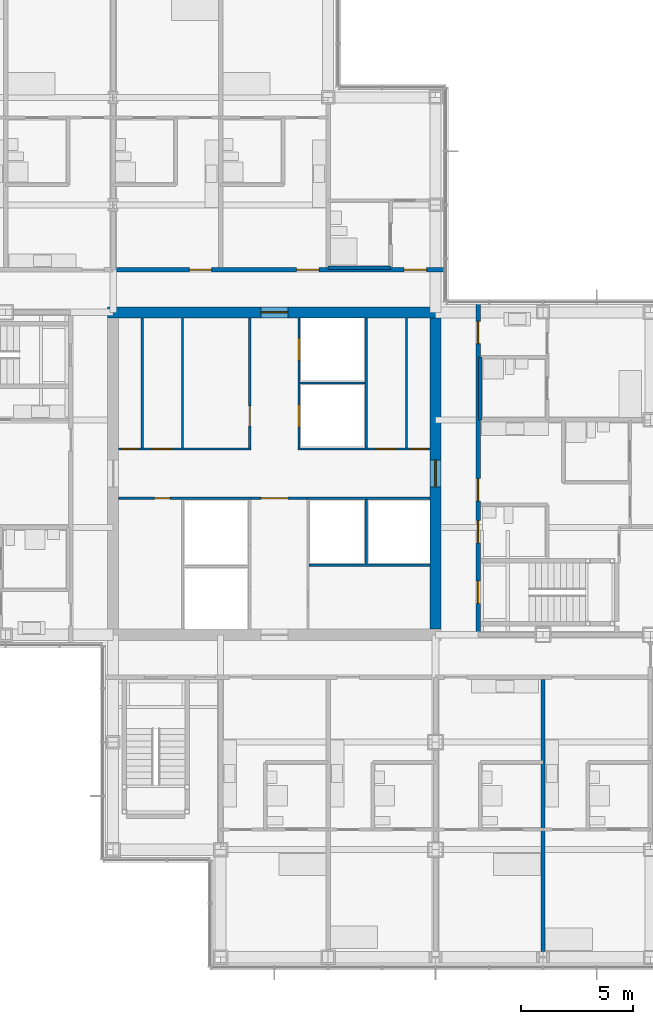
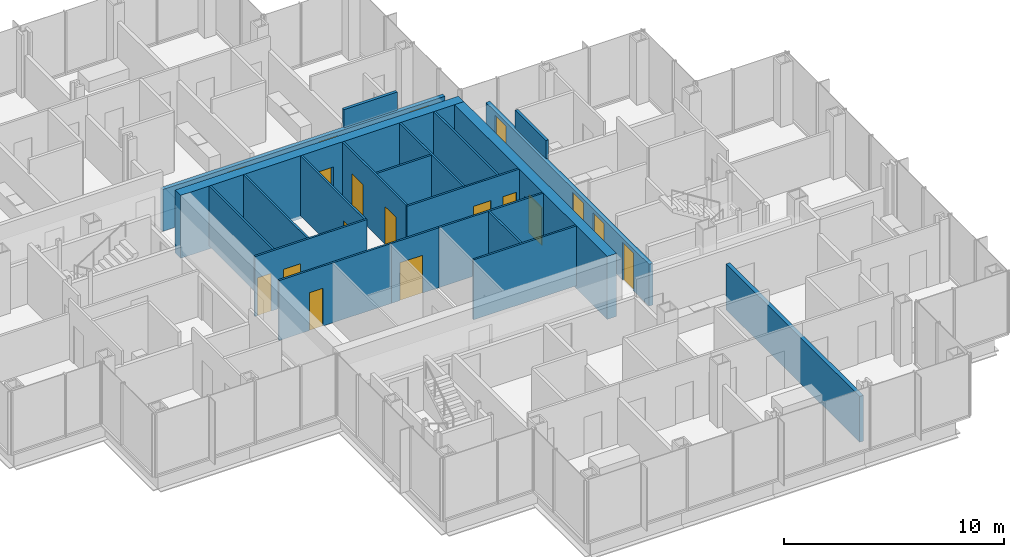
# One storey, part 15 of 20: 21 walls, 18 doors, 18 openings.
"""IFC4 building model written with IfcOpenShell, lengths in metres."""

from ifc_helpers import new_model, si_unit, direction, frame, frame_2d, origin, place, context, subcontext, project, spatial, rectangle, extrude, material, layer, layer_set, type_object, element, fill, save


model = new_model("IFC4")

# Units and contexts
model_context = context("Model", 3, precision=1e-05, world=origin(), true_north=direction((0.0, 1.0)))
body_context = subcontext(model_context, "Body", "Model", "MODEL_VIEW")
ifc_project = project(units=[si_unit("LENGTHUNIT", "METRE"), si_unit("AREAUNIT", "SQUARE_METRE"), si_unit("VOLUMEUNIT", "CUBIC_METRE"), si_unit("PLANEANGLEUNIT", "RADIAN"), si_unit("MASSUNIT", "GRAM", prefix="KILO")], contexts=[model_context])

# Site, building, storey
site_placement = place(None, origin())
site = spatial("IfcSite", under=ifc_project, at=site_placement, CompositionType="ELEMENT")
building_placement = place(site_placement, origin())
building = spatial("IfcBuilding", under=site, at=building_placement, Name="Kvirike Care Tower", CompositionType="ELEMENT")
storey_placement = place(building_placement, frame((0.0, 0.0, 91.0)))
storey = spatial("IfcBuildingStorey", under=building, at=storey_placement, Name="L24", CompositionType="ELEMENT", Elevation=91.0)

# Walls
ifc_material_1 = material(Name="Moisture-resistant board partition", Category="gypsum")
ifc_layer_1 = layer(ifc_material_1, 0.14990234375)
ifc_layer_set_1 = layer_set([ifc_layer_1], Name="BATHROOM WALL 150")
wall_type_1 = type_object("IfcWallType", Name="BATHROOM WALL 150", PredefinedType="PARTITIONING", material=ifc_layer_set_1)
for number, where, z_axis, x_axis, name in (
    (1, (26.800048828125, 45.199951171875, 0.0), (0.0, 0.0, 1.0), (-1.0, 0.0, 0.0), "Bathroom Wall 150 L24"),
    (2, (30.800048828125, 38.39990234375, 0.0), (0.0, 0.0, 1.0), (0.0, 1.0, 0.0), "Bathroom Wall 150 L24"),
):
    element("IfcWall", number, at=place(storey_placement, frame(where, z_axis=z_axis, x_axis=x_axis)), inside=storey, type_object=wall_type_1, Name=name, PredefinedType="PARTITIONING", context=body_context, shape_type="SweptSolid", body=[
        extrude(rectangle(XDim=2.800048828125, YDim=0.14990234375, at=frame_2d((1.39990234375, 0.0))), origin(), (0.0, 0.0, 1.0), 3.330078125),
    ])

# Wall, opening, door
ifc_material_2 = material(Name="Concrete C50/60", Category="concrete")
ifc_layer_2 = layer(ifc_material_2, 0.5)
ifc_layer_set_2 = layer_set([ifc_layer_2], Name="CORE WALL 500 C50-60")
wall_type_2 = type_object("IfcWallType", Name="CORE WALL 500 C50-60", PredefinedType="SHEAR", material=ifc_layer_set_2)
wall_1_placement = place(storey_placement, frame((29.050048828125, 43.199951171875, -0.169921875), z_axis=(0.0, 0.0, 1.0), x_axis=(-1.0, 0.0, 0.0)))
wall_1 = element("IfcWall", 3, at=wall_1_placement, inside=storey, type_object=wall_type_2, Name="Core wall N L24", PredefinedType="SHEAR", context=body_context, shape_type="SweptSolid", body=[
    extrude(rectangle(XDim=14.900146484375, YDim=0.5, at=frame_2d((7.4501953125, 0.0))), origin(), (0.0, 0.0, 1.0), 3.5),
])
opening_1_placement = place(wall_1_placement, frame((6.85009765625, 0.0, 0.169921875)))
opening_1 = element("IfcOpeningElement", 4, at=opening_1_placement, cuts=wall_1, Name="Opening 24-069", PredefinedType="OPENING", context=body_context, shape_type="SweptSolid", body=[
    extrude(rectangle(XDim=1.199951171875, YDim=2.10009765625, at=frame_2d((0.60009765625, 1.050048828125))), frame((0.0, 0.260498046875, 0.0), z_axis=(0.0, -1.0, 0.0), x_axis=(1.0, 0.0, 0.0)), (0.0, 0.0, 1.0), 0.52099609375),
])
ifc_material_3 = material(Name="Timber door set", Category="wood")
door_type_1 = type_object("IfcDoorType", Name="CORE DOOR 1200", OperationType="SINGLE_SWING_LEFT", PredefinedType="DOOR", material=ifc_material_3)
door_1_placement = place(opening_1_placement, origin())
door_1 = element("IfcDoor", 5, at=door_1_placement, inside=storey, type_object=door_type_1, Name="Core door N L24", OperationType="SINGLE_SWING_LEFT", OverallHeight=2.10009765625, OverallWidth=1.199951171875, PredefinedType="DOOR", context=body_context, shape_type="SweptSolid", body=[
    extrude(rectangle(XDim=1.199951171875, YDim=2.10009765625, at=frame_2d((0.60009765625, 1.050048828125))), frame((0.0, 0.02685546875, 0.0), z_axis=(0.0, -1.0, 0.0), x_axis=(1.0, 0.0, 0.0)), (0.0, 0.0, 1.0), 0.053955078125),
])
fill(opening_1, door_1)

wall_2_placement = place(storey_placement, frame((28.800048828125, 29.050048828125, -0.169921875), z_axis=(0.0, 0.0, 1.0), x_axis=(0.0, 1.0, 0.0)))
wall_2 = element("IfcWall", 6, at=wall_2_placement, inside=storey, type_object=wall_type_2, Name="Core wall E L24", PredefinedType="SHEAR", context=body_context, shape_type="SweptSolid", body=[
    extrude(rectangle(XDim=13.89990234375, YDim=0.5, at=frame_2d((6.949951171875, 0.0))), origin(), (0.0, 0.0, 1.0), 3.5),
])
opening_2_placement = place(wall_2_placement, frame((6.35009765625, 0.0, 0.169921875)))
opening_2 = element("IfcOpeningElement", 7, at=opening_2_placement, cuts=wall_2, Name="Opening 24-068", PredefinedType="OPENING", context=body_context, shape_type="SweptSolid", body=[
    extrude(rectangle(XDim=1.199951171875, YDim=2.10009765625, at=frame_2d((0.60009765625, 1.050048828125))), frame((0.0, 0.260498046875, 0.0), z_axis=(0.0, -1.0, 0.0), x_axis=(1.0, 0.0, 0.0)), (0.0, 0.0, 1.0), 0.52099609375),
])
door_2_placement = place(opening_2_placement, origin())
door_2 = element("IfcDoor", 8, at=door_2_placement, inside=storey, type_object=door_type_1, Name="Core door E L24", OperationType="SINGLE_SWING_LEFT", OverallHeight=2.10009765625, OverallWidth=1.199951171875, PredefinedType="DOOR", context=body_context, shape_type="SweptSolid", body=[
    extrude(rectangle(XDim=1.199951171875, YDim=2.10009765625, at=frame_2d((0.60009765625, 1.050048828125))), frame((0.0, 0.02685546875, 0.0), z_axis=(0.0, -1.0, 0.0), x_axis=(1.0, 0.0, 0.0)), (0.0, 0.0, 1.0), 0.053955078125),
])
fill(opening_2, door_2)

# Wall, openings, doors
ifc_material_4 = material(Name="Plasterboard corridor wall", Category="gypsum")
ifc_layer_3 = layer(ifc_material_4, 0.199951171875)
ifc_layer_set_3 = layer_set([ifc_layer_3], Name="CORRIDOR WALL 200")
wall_type_3 = type_object("IfcWallType", Name="CORRIDOR WALL 200", PredefinedType="PARTITIONING", material=ifc_layer_set_3)
wall_3_placement = place(storey_placement, frame((29.239990234375, 45.10009765625, 0.0), z_axis=(0.0, 0.0, 1.0), x_axis=(-1.0, 0.0, 0.0)))
wall_3 = element("IfcWall", 9, at=wall_3_placement, inside=storey, type_object=wall_type_3, Name="Corridor Wall 200 L24", PredefinedType="PARTITIONING", context=body_context, shape_type="SweptSolid", body=[
    extrude(rectangle(XDim=14.840087890625, YDim=0.199951171875, at=frame_2d((7.419921875, 0.0))), origin(), (0.0, 0.0, 1.0), 2.320068359375),
])
opening_3_placement = place(wall_3_placement, frame((0.840087890625, 0.0, 0.0)))
opening_3 = element("IfcOpeningElement", 10, at=opening_3_placement, cuts=wall_3, Name="Opening 24-033", PredefinedType="OPENING", context=body_context, shape_type="SweptSolid", body=[
    extrude(rectangle(XDim=1.0, YDim=2.10009765625, at=frame_2d((0.5, 1.050048828125))), frame((0.0, 0.110595703125, 0.0), z_axis=(0.0, -1.0, 0.0), x_axis=(1.0, 0.0, 0.0)), (0.0, 0.0, 1.0), 0.220947265625),
])
opening_4_placement = place(wall_3_placement, frame((5.639892578125, 0.0, 0.0)))
opening_4 = element("IfcOpeningElement", 11, at=opening_4_placement, cuts=wall_3, Name="Opening 24-034", PredefinedType="OPENING", context=body_context, shape_type="SweptSolid", body=[
    extrude(rectangle(XDim=1.0, YDim=2.10009765625, at=frame_2d((0.5, 1.050048828125))), frame((0.0, 0.110595703125, 0.0), z_axis=(0.0, -1.0, 0.0), x_axis=(1.0, 0.0, 0.0)), (0.0, 0.0, 1.0), 0.220947265625),
])
opening_5_placement = place(wall_3_placement, frame((10.43994140625, 0.0, 0.0)))
opening_5 = element("IfcOpeningElement", 12, at=opening_5_placement, cuts=wall_3, Name="Opening 24-035", PredefinedType="OPENING", context=body_context, shape_type="SweptSolid", body=[
    extrude(rectangle(XDim=1.0, YDim=2.10009765625, at=frame_2d((0.5, 1.050048828125))), frame((0.0, 0.110595703125, 0.0), z_axis=(0.0, -1.0, 0.0), x_axis=(1.0, 0.0, 0.0)), (0.0, 0.0, 1.0), 0.220947265625),
])
ifc_material_5 = material(Name="Timber door set", Category="wood")
door_type_2 = type_object("IfcDoorType", Name="FLAT ENTRANCE DOOR 1000", OperationType="SINGLE_SWING_LEFT", PredefinedType="DOOR", material=ifc_material_5)
door_3_placement = place(opening_3_placement, frame((1.0, 0.0, 0.0), z_axis=(0.0, 0.0, 1.0), x_axis=(-1.0, 0.0, 0.0)))
door_3 = element("IfcDoor", 13, at=door_3_placement, inside=storey, type_object=door_type_2, Name="Care base entrance", OperationType="SINGLE_SWING_LEFT", OverallHeight=2.10009765625, OverallWidth=1.0, PredefinedType="DOOR", context=body_context, shape_type="SweptSolid", body=[
    extrude(rectangle(XDim=1.0, YDim=2.10009765625, at=frame_2d((0.5, 1.050048828125))), frame((0.0, 0.02685546875, 0.0), z_axis=(0.0, -1.0, 0.0), x_axis=(1.0, 0.0, 0.0)), (0.0, 0.0, 1.0), 0.053955078125),
])
fill(opening_3, door_3)
door_4_placement = place(opening_4_placement, frame((1.0, 0.0, 0.0), z_axis=(0.0, 0.0, 1.0), x_axis=(-1.0, 0.0, 0.0)))
door_4 = element("IfcDoor", 14, at=door_4_placement, inside=storey, type_object=door_type_2, Name="Assisted living suite entrance", OperationType="SINGLE_SWING_LEFT", OverallHeight=2.10009765625, OverallWidth=1.0, PredefinedType="DOOR", context=body_context, shape_type="SweptSolid", body=[
    extrude(rectangle(XDim=1.0, YDim=2.10009765625, at=frame_2d((0.5, 1.050048828125))), frame((0.0, 0.02685546875, 0.0), z_axis=(0.0, -1.0, 0.0), x_axis=(1.0, 0.0, 0.0)), (0.0, 0.0, 1.0), 0.053955078125),
])
fill(opening_4, door_4)
door_5_placement = place(opening_5_placement, frame((1.0, 0.0, 0.0), z_axis=(0.0, 0.0, 1.0), x_axis=(-1.0, 0.0, 0.0)))
door_5 = element("IfcDoor", 15, at=door_5_placement, inside=storey, type_object=door_type_2, Name="Assisted living suite entrance", OperationType="SINGLE_SWING_LEFT", OverallHeight=2.10009765625, OverallWidth=1.0, PredefinedType="DOOR", context=body_context, shape_type="SweptSolid", body=[
    extrude(rectangle(XDim=1.0, YDim=2.10009765625, at=frame_2d((0.5, 1.050048828125))), frame((0.0, 0.02685546875, 0.0), z_axis=(0.0, -1.0, 0.0), x_axis=(1.0, 0.0, 0.0)), (0.0, 0.0, 1.0), 0.053955078125),
])
fill(opening_5, door_5)

wall_4_placement = place(storey_placement, frame((30.699951171875, 28.800048828125, 0.0), z_axis=(0.0, 0.0, 1.0), x_axis=(0.0, 1.0, 0.0)))
wall_4 = element("IfcWall", 16, at=wall_4_placement, inside=storey, type_object=wall_type_3, Name="Corridor Wall 200 L24", PredefinedType="PARTITIONING", context=body_context, shape_type="SweptSolid", body=[
    extrude(rectangle(XDim=14.83984375, YDim=0.199951171875, at=frame_2d((7.419921875, 0.0))), origin(), (0.0, 0.0, 1.0), 2.320068359375),
])
opening_6_placement = place(wall_4_placement, frame((1.39990234375, 0.0, 0.0)))
opening_6 = element("IfcOpeningElement", 17, at=opening_6_placement, cuts=wall_4, Name="Opening 24-050", PredefinedType="OPENING", context=body_context, shape_type="SweptSolid", body=[
    extrude(rectangle(XDim=1.0, YDim=2.10009765625, at=frame_2d((0.5, 1.050048828125))), frame((0.0, 0.110595703125, 0.0), z_axis=(0.0, -1.0, 0.0), x_axis=(1.0, 0.0, 0.0)), (0.0, 0.0, 1.0), 0.220947265625),
])
opening_7_placement = place(wall_4_placement, frame((4.10009765625, 0.0, 0.0)))
opening_7 = element("IfcOpeningElement", 18, at=opening_7_placement, cuts=wall_4, Name="Opening 24-051", PredefinedType="OPENING", context=body_context, shape_type="SweptSolid", body=[
    extrude(rectangle(XDim=1.0, YDim=2.10009765625, at=frame_2d((0.5, 1.050048828125))), frame((0.0, 0.110595703125, 0.0), z_axis=(0.0, -1.0, 0.0), x_axis=(1.0, 0.0, 0.0)), (0.0, 0.0, 1.0), 0.220947265625),
])
opening_8_placement = place(wall_4_placement, frame((5.97509765625, 0.0, 0.0)))
opening_8 = element("IfcOpeningElement", 19, at=opening_8_placement, cuts=wall_4, Name="Opening 24-052", PredefinedType="OPENING", context=body_context, shape_type="SweptSolid", body=[
    extrude(rectangle(XDim=1.0, YDim=2.10009765625, at=frame_2d((0.5, 1.050048828125))), frame((0.0, 0.110595703125, 0.0), z_axis=(0.0, -1.0, 0.0), x_axis=(1.0, 0.0, 0.0)), (0.0, 0.0, 1.0), 0.220947265625),
])
opening_9_placement = place(wall_4_placement, frame((13.0, 0.0, 0.0)))
opening_9 = element("IfcOpeningElement", 20, at=opening_9_placement, cuts=wall_4, Name="Opening 24-053", PredefinedType="OPENING", context=body_context, shape_type="SweptSolid", body=[
    extrude(rectangle(XDim=1.0, YDim=2.10009765625, at=frame_2d((0.5, 1.050048828125))), frame((0.0, 0.110595703125, 0.0), z_axis=(0.0, -1.0, 0.0), x_axis=(1.0, 0.0, 0.0)), (0.0, 0.0, 1.0), 0.220947265625),
])
door_6_placement = place(opening_8_placement, frame((1.0, 0.0, 0.0), z_axis=(0.0, 0.0, 1.0), x_axis=(-1.0, 0.0, 0.0)))
door_6 = element("IfcDoor", 21, at=door_6_placement, inside=storey, type_object=door_type_2, Name="Assisted living suite entrance", OperationType="SINGLE_SWING_LEFT", OverallHeight=2.10009765625, OverallWidth=1.0, PredefinedType="DOOR", context=body_context, shape_type="SweptSolid", body=[
    extrude(rectangle(XDim=1.0, YDim=2.10009765625, at=frame_2d((0.5, 1.050048828125))), frame((0.0, 0.02685546875, 0.0), z_axis=(0.0, -1.0, 0.0), x_axis=(1.0, 0.0, 0.0)), (0.0, 0.0, 1.0), 0.053955078125),
])
fill(opening_8, door_6)
door_7_placement = place(opening_9_placement, frame((1.0, 0.0, 0.0), z_axis=(0.0, 0.0, 1.0), x_axis=(-1.0, 0.0, 0.0)))
door_7 = element("IfcDoor", 22, at=door_7_placement, inside=storey, type_object=door_type_2, Name="Assisted living suite entrance", OperationType="SINGLE_SWING_RIGHT", OverallHeight=2.10009765625, OverallWidth=1.0, PredefinedType="DOOR", context=body_context, shape_type="SweptSolid", body=[
    extrude(rectangle(XDim=1.0, YDim=2.10009765625, at=frame_2d((0.5, 1.050048828125))), frame((0.0, 0.02685546875, 0.0), z_axis=(0.0, -1.0, 0.0), x_axis=(1.0, 0.0, 0.0)), (0.0, 0.0, 1.0), 0.053955078125),
])
fill(opening_9, door_7)
ifc_material_6 = material(Name="Timber door set", Category="wood")
door_type_3 = type_object("IfcDoorType", Name="STAIR DOOR 1000", OperationType="SINGLE_SWING_LEFT", PredefinedType="DOOR", material=ifc_material_6)
door_8_placement = place(opening_6_placement, frame((1.0, 0.0, 0.0), z_axis=(0.0, 0.0, 1.0), x_axis=(-1.0, 0.0, 0.0)))
door_8 = element("IfcDoor", 23, at=door_8_placement, inside=storey, type_object=door_type_3, Name="Stair 2 door", OperationType="SINGLE_SWING_RIGHT", OverallHeight=2.10009765625, OverallWidth=1.0, PredefinedType="DOOR", context=body_context, shape_type="SweptSolid", body=[
    extrude(rectangle(XDim=1.0, YDim=2.10009765625, at=frame_2d((0.5, 1.050048828125))), frame((0.0, 0.031982421875, 0.0), z_axis=(0.0, -1.0, 0.0), x_axis=(1.0, 0.0, 0.0)), (0.0, 0.0, 1.0), 0.06396484375),
])
fill(opening_6, door_8)
ifc_material_7 = material(Name="Timber door set", Category="wood")
door_type_4 = type_object("IfcDoorType", Name="WC DOOR 1000", OperationType="SINGLE_SWING_LEFT", PredefinedType="DOOR", material=ifc_material_7)
door_9_placement = place(opening_7_placement, frame((1.0, 0.0, 0.0), z_axis=(0.0, 0.0, 1.0), x_axis=(-1.0, 0.0, 0.0)))
door_9 = element("IfcDoor", 24, at=door_9_placement, inside=storey, type_object=door_type_4, Name="Accessible WC door", OperationType="SINGLE_SWING_LEFT", OverallHeight=2.10009765625, OverallWidth=1.0, PredefinedType="DOOR", context=body_context, shape_type="SweptSolid", body=[
    extrude(rectangle(XDim=1.0, YDim=2.10009765625, at=frame_2d((0.5, 1.050048828125))), frame((0.0, 0.02685546875, 0.0), z_axis=(0.0, -1.0, 0.0), x_axis=(1.0, 0.0, 0.0)), (0.0, 0.0, 1.0), 0.053955078125),
])
fill(opening_7, door_9)

# Walls
ifc_material_8 = material(Name="Plasterboard party wall", Category="gypsum")
ifc_layer_4 = layer(ifc_material_8, 0.199951171875)
ifc_layer_set_4 = layer_set([ifc_layer_4], Name="PARTY WALL 200")
wall_type_4 = type_object("IfcWallType", Name="PARTY WALL 200", PredefinedType="PARTITIONING", material=ifc_layer_set_4)
wall_5_placement = place(storey_placement, frame((33.60009765625, 14.64697265625, 0.0), z_axis=(0.0, 0.0, 1.0), x_axis=(0.0, 1.0, 0.0)))
element("IfcWall", 25, at=wall_5_placement, inside=storey, type_object=wall_type_4, Name="Party Wall 200 L24", PredefinedType="PARTITIONING", context=body_context, shape_type="SweptSolid", body=[
    extrude(rectangle(XDim=12.153076171875, YDim=0.199951171875, at=frame_2d((6.07666015625, 0.0))), origin(), (0.0, 0.0, 1.0), 2.550048828125),
])
ifc_material_9 = material(Name="Gypsum shaft wall system", Category="gypsum")
ifc_layer_5 = layer(ifc_material_9, 0.10009765625)
ifc_layer_set_5 = layer_set([ifc_layer_5], Name="SHAFT WALL 100")
wall_type_5 = type_object("IfcWallType", Name="SHAFT WALL 100", PredefinedType="SOLIDWALL", material=ifc_layer_set_5)
for number, where, z_axis, x_axis, name in (
    (26, (15.699951171875, 37.14990234375, 0.0), (0.0, 0.0, 1.0), (0.0, 1.0, 0.0), "Shaft Wall 100 L24"),
    (27, (27.5, 37.14990234375, 0.0), (0.0, 0.0, 1.0), (0.0, 1.0, 0.0), "Shaft Wall 100 L24"),
):
    element("IfcWall", number, at=place(storey_placement, frame(where, z_axis=z_axis, x_axis=x_axis)), inside=storey, type_object=wall_type_5, Name=name, PredefinedType="SOLIDWALL", context=body_context, shape_type="SweptSolid", body=[
        extrude(rectangle(XDim=5.800048828125, YDim=0.10009765625, at=frame_2d((2.89990234375, 0.0))), origin(), (0.0, 0.0, 1.0), 3.330078125),
    ])

# Wall, opening, door
wall_6_placement = place(storey_placement, frame((20.5, 37.14990234375, 0.0), z_axis=(0.0, 0.0, 1.0), x_axis=(0.0, 1.0, 0.0)))
wall_6 = element("IfcWall", 28, at=wall_6_placement, inside=storey, type_object=wall_type_5, Name="Shaft Wall 100 L24", PredefinedType="SOLIDWALL", context=body_context, shape_type="SweptSolid", body=[
    extrude(rectangle(XDim=5.800048828125, YDim=0.10009765625, at=frame_2d((2.89990234375, 0.0))), origin(), (0.0, 0.0, 1.0), 3.330078125),
])
opening_10_placement = place(wall_6_placement, frame((0.97509765625, 0.0, 0.0)))
opening_10 = element("IfcOpeningElement", 29, at=opening_10_placement, cuts=wall_6, Name="Opening 24-056", PredefinedType="OPENING", context=body_context, shape_type="SweptSolid", body=[
    extrude(rectangle(XDim=0.89990234375, YDim=2.10009765625, at=frame_2d((0.449951171875, 1.050048828125))), frame((0.0, 0.060546875, 0.0), z_axis=(0.0, -1.0, 0.0), x_axis=(1.0, 0.0, 0.0)), (0.0, 0.0, 1.0), 0.12109375),
])
ifc_material_10 = material(Name="Timber door set", Category="wood")
door_type_5 = type_object("IfcDoorType", Name="STORE DOOR 900", OperationType="SINGLE_SWING_LEFT", PredefinedType="DOOR", material=ifc_material_10)
door_10_placement = place(opening_10_placement, origin())
door_10 = element("IfcDoor", 30, at=door_10_placement, inside=storey, type_object=door_type_5, Name="Staff room door", OperationType="SINGLE_SWING_RIGHT", OverallHeight=2.10009765625, OverallWidth=0.89990234375, PredefinedType="DOOR", context=body_context, shape_type="SweptSolid", body=[
    extrude(rectangle(XDim=0.89990234375, YDim=2.10009765625, at=frame_2d((0.449951171875, 1.050048828125))), frame((0.0, 0.02685546875, 0.0), z_axis=(0.0, -1.0, 0.0), x_axis=(1.0, 0.0, 0.0)), (0.0, 0.0, 1.0), 0.053955078125),
])
fill(opening_10, door_10)

# Wall, openings, doors
wall_7_placement = place(storey_placement, frame((22.699951171875, 37.14990234375, 0.0), z_axis=(0.0, 0.0, 1.0), x_axis=(0.0, 1.0, 0.0)))
wall_7 = element("IfcWall", 31, at=wall_7_placement, inside=storey, type_object=wall_type_5, Name="Shaft Wall 100 L24", PredefinedType="SOLIDWALL", context=body_context, shape_type="SweptSolid", body=[
    extrude(rectangle(XDim=5.800048828125, YDim=0.10009765625, at=frame_2d((2.89990234375, 0.0))), origin(), (0.0, 0.0, 1.0), 3.330078125),
])
opening_11_placement = place(wall_7_placement, frame((0.925048828125, 0.0, 0.0)))
opening_11 = element("IfcOpeningElement", 32, at=opening_11_placement, cuts=wall_7, Name="Opening 24-057", PredefinedType="OPENING", context=body_context, shape_type="SweptSolid", body=[
    extrude(rectangle(XDim=1.0, YDim=2.10009765625, at=frame_2d((0.5, 1.050048828125))), frame((0.0, 0.060546875, 0.0), z_axis=(0.0, -1.0, 0.0), x_axis=(1.0, 0.0, 0.0)), (0.0, 0.0, 1.0), 0.12109375),
])
opening_12_placement = place(wall_7_placement, frame((3.89990234375, 0.0, 0.0)))
opening_12 = element("IfcOpeningElement", 33, at=opening_12_placement, cuts=wall_7, Name="Opening 24-058", PredefinedType="OPENING", context=body_context, shape_type="SweptSolid", body=[
    extrude(rectangle(XDim=1.0, YDim=2.10009765625, at=frame_2d((0.5, 1.050048828125))), frame((0.0, 0.060546875, 0.0), z_axis=(0.0, -1.0, 0.0), x_axis=(1.0, 0.0, 0.0)), (0.0, 0.0, 1.0), 0.12109375),
])
ifc_material_11 = material(Name="Aluminium door frame", Category="aluminium")
door_type_6 = type_object("IfcDoorType", Name="LIFT LANDING DOOR 1000", OperationType="SLIDING_TO_LEFT", PredefinedType="DOOR", material=ifc_material_11)
door_11_placement = place(opening_11_placement, origin())
door_11 = element("IfcDoor", 34, at=door_11_placement, inside=storey, type_object=door_type_6, Name="Lift P3 landing door", OperationType="SLIDING_TO_LEFT", OverallHeight=2.10009765625, OverallWidth=1.0, PredefinedType="DOOR", context=body_context, shape_type="SweptSolid", body=[
    extrude(rectangle(XDim=1.0, YDim=2.10009765625, at=frame_2d((0.5, 1.050048828125))), frame((0.0, 0.0498046875, 0.0), z_axis=(0.0, -1.0, 0.0), x_axis=(1.0, 0.0, 0.0)), (0.0, 0.0, 1.0), 0.099609375),
])
fill(opening_11, door_11)
door_12_placement = place(opening_12_placement, origin())
door_12 = element("IfcDoor", 35, at=door_12_placement, inside=storey, type_object=door_type_6, Name="Lift P4 landing door", OperationType="SLIDING_TO_LEFT", OverallHeight=2.10009765625, OverallWidth=1.0, PredefinedType="DOOR", context=body_context, shape_type="SweptSolid", body=[
    extrude(rectangle(XDim=1.0, YDim=2.10009765625, at=frame_2d((0.5, 1.050048828125))), frame((0.0, 0.0498046875, 0.0), z_axis=(0.0, -1.0, 0.0), x_axis=(1.0, 0.0, 0.0)), (0.0, 0.0, 1.0), 0.099609375),
])
fill(opening_12, door_12)

# Wall, opening, door
wall_8_placement = place(storey_placement, frame((14.64990234375, 34.89990234375, 0.0), z_axis=(0.0, 0.0, 1.0), x_axis=(1.0, 0.0, 0.0)))
wall_8 = element("IfcWall", 36, at=wall_8_placement, inside=storey, type_object=wall_type_5, Name="Shaft Wall 100 L24", PredefinedType="SOLIDWALL", context=body_context, shape_type="SweptSolid", body=[
    extrude(rectangle(XDim=5.900146484375, YDim=0.10009765625, at=frame_2d((2.9501953125, 0.0))), origin(), (0.0, 0.0, 1.0), 3.330078125),
])
opening_13_placement = place(wall_8_placement, frame((1.60009765625, 0.0, 0.0)))
opening_13 = element("IfcOpeningElement", 37, at=opening_13_placement, cuts=wall_8, Name="Opening 24-060", PredefinedType="OPENING", context=body_context, shape_type="SweptSolid", body=[
    extrude(rectangle(XDim=0.699951171875, YDim=2.10009765625, at=frame_2d((0.35009765625, 1.050048828125))), frame((0.0, 0.060546875, 0.0), z_axis=(0.0, -1.0, 0.0), x_axis=(1.0, 0.0, 0.0)), (0.0, 0.0, 1.0), 0.12109375),
])
ifc_material_12 = material(Name="Timber door set", Category="wood")
door_type_7 = type_object("IfcDoorType", Name="RISER DOOR 700", OperationType="SINGLE_SWING_LEFT", PredefinedType="DOOR", material=ifc_material_12)
door_13_placement = place(opening_13_placement, frame((0.699951171875, 0.0, 0.0), z_axis=(0.0, 0.0, 1.0), x_axis=(-1.0, 0.0, 0.0)))
door_13 = element("IfcDoor", 38, at=door_13_placement, inside=storey, type_object=door_type_7, Name="Riser door", OperationType="SINGLE_SWING_RIGHT", OverallHeight=2.10009765625, OverallWidth=0.699951171875, PredefinedType="DOOR", context=body_context, shape_type="SweptSolid", body=[
    extrude(rectangle(XDim=0.699951171875, YDim=2.10009765625, at=frame_2d((0.35009765625, 1.050048828125))), frame((0.0, 0.02685546875, 0.0), z_axis=(0.0, -1.0, 0.0), x_axis=(1.0, 0.0, 0.0)), (0.0, 0.0, 1.0), 0.053955078125),
])
fill(opening_13, door_13)

# Wall
wall_9_placement = place(storey_placement, frame((23.050048828125, 34.89990234375, 0.0), z_axis=(0.0, 0.0, 1.0), x_axis=(1.0, 0.0, 0.0)))
element("IfcWall", 39, at=wall_9_placement, inside=storey, type_object=wall_type_5, Name="Shaft Wall 100 L24", PredefinedType="SOLIDWALL", context=body_context, shape_type="SweptSolid", body=[
    extrude(rectangle(XDim=5.5, YDim=0.10009765625, at=frame_2d((2.75, 0.0))), origin(), (0.0, 0.0, 1.0), 3.330078125),
])

# Wall, openings, doors
wall_10_placement = place(storey_placement, frame((14.64990234375, 37.10009765625, 0.0), z_axis=(0.0, 0.0, 1.0), x_axis=(1.0, 0.0, 0.0)))
wall_10 = element("IfcWall", 40, at=wall_10_placement, inside=storey, type_object=wall_type_5, Name="Shaft Wall 100 L24", PredefinedType="SOLIDWALL", context=body_context, shape_type="SweptSolid", body=[
    extrude(rectangle(XDim=5.900146484375, YDim=0.10009765625, at=frame_2d((2.9501953125, 0.0))), origin(), (0.0, 0.0, 1.0), 3.330078125),
])
opening_14_placement = place(wall_10_placement, frame((0.14990234375, 0.0, 0.0)))
opening_14 = element("IfcOpeningElement", 41, at=opening_14_placement, cuts=wall_10, Name="Opening 24-061", PredefinedType="OPENING", context=body_context, shape_type="SweptSolid", body=[
    extrude(rectangle(XDim=0.699951171875, YDim=2.10009765625, at=frame_2d((0.35009765625, 1.050048828125))), frame((0.0, 0.060546875, 0.0), z_axis=(0.0, -1.0, 0.0), x_axis=(1.0, 0.0, 0.0)), (0.0, 0.0, 1.0), 0.12109375),
])
opening_15_placement = place(wall_10_placement, frame((1.5, 0.0, 0.0)))
opening_15 = element("IfcOpeningElement", 42, at=opening_15_placement, cuts=wall_10, Name="Opening 24-062", PredefinedType="OPENING", context=body_context, shape_type="SweptSolid", body=[
    extrude(rectangle(XDim=0.89990234375, YDim=2.10009765625, at=frame_2d((0.449951171875, 1.050048828125))), frame((0.0, 0.060546875, 0.0), z_axis=(0.0, -1.0, 0.0), x_axis=(1.0, 0.0, 0.0)), (0.0, 0.0, 1.0), 0.12109375),
])
door_14_placement = place(opening_14_placement, origin())
door_14 = element("IfcDoor", 43, at=door_14_placement, inside=storey, type_object=door_type_7, Name="Riser door", OperationType="SINGLE_SWING_LEFT", OverallHeight=2.10009765625, OverallWidth=0.699951171875, PredefinedType="DOOR", context=body_context, shape_type="SweptSolid", body=[
    extrude(rectangle(XDim=0.699951171875, YDim=2.10009765625, at=frame_2d((0.35009765625, 1.050048828125))), frame((0.0, 0.02685546875, 0.0), z_axis=(0.0, -1.0, 0.0), x_axis=(1.0, 0.0, 0.0)), (0.0, 0.0, 1.0), 0.053955078125),
])
fill(opening_14, door_14)
door_15_placement = place(opening_15_placement, origin())
door_15 = element("IfcDoor", 44, at=door_15_placement, inside=storey, type_object=door_type_5, Name="Linen store door", OperationType="SINGLE_SWING_LEFT", OverallHeight=2.10009765625, OverallWidth=0.89990234375, PredefinedType="DOOR", context=body_context, shape_type="SweptSolid", body=[
    extrude(rectangle(XDim=0.89990234375, YDim=2.10009765625, at=frame_2d((0.449951171875, 1.050048828125))), frame((0.0, 0.02685546875, 0.0), z_axis=(0.0, -1.0, 0.0), x_axis=(1.0, 0.0, 0.0)), (0.0, 0.0, 1.0), 0.053955078125),
])
fill(opening_15, door_15)

wall_11_placement = place(storey_placement, frame((22.64990234375, 37.10009765625, 0.0), z_axis=(0.0, 0.0, 1.0), x_axis=(1.0, 0.0, 0.0)))
wall_11 = element("IfcWall", 45, at=wall_11_placement, inside=storey, type_object=wall_type_5, Name="Shaft Wall 100 L24", PredefinedType="SOLIDWALL", context=body_context, shape_type="SweptSolid", body=[
    extrude(rectangle(XDim=5.900146484375, YDim=0.10009765625, at=frame_2d((2.9501953125, 0.0))), origin(), (0.0, 0.0, 1.0), 3.330078125),
])
opening_16_placement = place(wall_11_placement, frame((3.5, 0.0, 0.0)))
opening_16 = element("IfcOpeningElement", 46, at=opening_16_placement, cuts=wall_11, Name="Opening 24-063", PredefinedType="OPENING", context=body_context, shape_type="SweptSolid", body=[
    extrude(rectangle(XDim=0.89990234375, YDim=2.10009765625, at=frame_2d((0.449951171875, 1.050048828125))), frame((0.0, 0.060546875, 0.0), z_axis=(0.0, -1.0, 0.0), x_axis=(1.0, 0.0, 0.0)), (0.0, 0.0, 1.0), 0.12109375),
])
opening_17_placement = place(wall_11_placement, frame((5.050048828125, 0.0, 0.0)))
opening_17 = element("IfcOpeningElement", 47, at=opening_17_placement, cuts=wall_11, Name="Opening 24-064", PredefinedType="OPENING", context=body_context, shape_type="SweptSolid", body=[
    extrude(rectangle(XDim=0.699951171875, YDim=2.10009765625, at=frame_2d((0.35009765625, 1.050048828125))), frame((0.0, 0.060546875, 0.0), z_axis=(0.0, -1.0, 0.0), x_axis=(1.0, 0.0, 0.0)), (0.0, 0.0, 1.0), 0.12109375),
])
door_16_placement = place(opening_17_placement, origin())
door_16 = element("IfcDoor", 48, at=door_16_placement, inside=storey, type_object=door_type_7, Name="Riser door", OperationType="SINGLE_SWING_RIGHT", OverallHeight=2.10009765625, OverallWidth=0.699951171875, PredefinedType="DOOR", context=body_context, shape_type="SweptSolid", body=[
    extrude(rectangle(XDim=0.699951171875, YDim=2.10009765625, at=frame_2d((0.35009765625, 1.050048828125))), frame((0.0, 0.02685546875, 0.0), z_axis=(0.0, -1.0, 0.0), x_axis=(1.0, 0.0, 0.0)), (0.0, 0.0, 1.0), 0.053955078125),
])
fill(opening_17, door_16)
door_17_placement = place(opening_16_placement, origin())
door_17 = element("IfcDoor", 49, at=door_17_placement, inside=storey, type_object=door_type_5, Name="IT room door", OperationType="SINGLE_SWING_LEFT", OverallHeight=2.10009765625, OverallWidth=0.89990234375, PredefinedType="DOOR", context=body_context, shape_type="SweptSolid", body=[
    extrude(rectangle(XDim=0.89990234375, YDim=2.10009765625, at=frame_2d((0.449951171875, 1.050048828125))), frame((0.0, 0.02685546875, 0.0), z_axis=(0.0, -1.0, 0.0), x_axis=(1.0, 0.0, 0.0)), (0.0, 0.0, 1.0), 0.053955078125),
])
fill(opening_16, door_17)

# Wall, opening, door
wall_12_placement = place(storey_placement, frame((20.550048828125, 34.89990234375, 0.0), z_axis=(0.0, 0.0, 1.0), x_axis=(1.0, 0.0, 0.0)))
wall_12 = element("IfcWall", 50, at=wall_12_placement, inside=storey, type_object=wall_type_5, Name="Shaft Wall 100 L24", PredefinedType="SOLIDWALL", context=body_context, shape_type="SweptSolid", body=[
    extrude(rectangle(XDim=2.5, YDim=0.10009765625, at=frame_2d((1.25, 0.0))), origin(), (0.0, 0.0, 1.0), 3.330078125),
])
opening_18_placement = place(wall_12_placement, frame((0.449951171875, 0.0, 0.0)))
opening_18 = element("IfcOpeningElement", 51, at=opening_18_placement, cuts=wall_12, Name="Opening 24-065", PredefinedType="OPENING", context=body_context, shape_type="SweptSolid", body=[
    extrude(rectangle(XDim=1.199951171875, YDim=2.10009765625, at=frame_2d((0.60009765625, 1.050048828125))), frame((0.0, 0.060546875, 0.0), z_axis=(0.0, -1.0, 0.0), x_axis=(1.0, 0.0, 0.0)), (0.0, 0.0, 1.0), 0.12109375),
])
door_18_placement = place(opening_18_placement, frame((1.199951171875, 0.0, 0.0), z_axis=(0.0, 0.0, 1.0), x_axis=(-1.0, 0.0, 0.0)))
door_18 = element("IfcDoor", 52, at=door_18_placement, inside=storey, type_object=door_type_1, Name="Fire-fighting lobby door", OperationType="SINGLE_SWING_LEFT", OverallHeight=2.10009765625, OverallWidth=1.199951171875, PredefinedType="DOOR", context=body_context, shape_type="SweptSolid", body=[
    extrude(rectangle(XDim=1.199951171875, YDim=2.10009765625, at=frame_2d((0.60009765625, 1.050048828125))), frame((0.0, 0.02685546875, 0.0), z_axis=(0.0, -1.0, 0.0), x_axis=(1.0, 0.0, 0.0)), (0.0, 0.0, 1.0), 0.053955078125),
])
fill(opening_18, door_18)

# Walls
wall_13_placement = place(storey_placement, frame((17.5, 37.14990234375, 0.0), z_axis=(0.0, 0.0, 1.0), x_axis=(0.0, 1.0, 0.0)))
element("IfcWall", 53, at=wall_13_placement, inside=storey, type_object=wall_type_5, Name="Shaft Wall 100 L24", PredefinedType="SOLIDWALL", context=body_context, shape_type="SweptSolid", body=[
    extrude(rectangle(XDim=5.800048828125, YDim=0.10009765625, at=frame_2d((2.89990234375, 0.0))), origin(), (0.0, 0.0, 1.0), 3.330078125),
])
wall_14_placement = place(storey_placement, frame((22.75, 40.050048828125, 0.0), z_axis=(0.0, 0.0, 1.0), x_axis=(1.0, 0.0, 0.0)))
element("IfcWall", 54, at=wall_14_placement, inside=storey, type_object=wall_type_5, Name="Shaft Wall 100 L24", PredefinedType="SOLIDWALL", context=body_context, shape_type="SweptSolid", body=[
    extrude(rectangle(XDim=2.89990234375, YDim=0.10009765625, at=frame_2d((1.449951171875, 0.0))), origin(), (0.0, 0.0, 1.0), 3.330078125),
])
wall_15_placement = place(storey_placement, frame((25.699951171875, 37.14990234375, 0.0), z_axis=(0.0, 0.0, 1.0), x_axis=(0.0, 1.0, 0.0)))
element("IfcWall", 55, at=wall_15_placement, inside=storey, type_object=wall_type_5, Name="Shaft Wall 100 L24", PredefinedType="SOLIDWALL", context=body_context, shape_type="SweptSolid", body=[
    extrude(rectangle(XDim=5.800048828125, YDim=0.10009765625, at=frame_2d((2.89990234375, 0.0))), origin(), (0.0, 0.0, 1.0), 3.330078125),
])
wall_16_placement = place(storey_placement, frame((25.699951171875, 31.949951171875, 0.0), z_axis=(0.0, 0.0, 1.0), x_axis=(0.0, 1.0, 0.0)))
element("IfcWall", 56, at=wall_16_placement, inside=storey, type_object=wall_type_5, Name="Shaft Wall 100 L24", PredefinedType="SOLIDWALL", context=body_context, shape_type="SweptSolid", body=[
    extrude(rectangle(XDim=2.900146484375, YDim=0.10009765625, at=frame_2d((1.4501953125, 0.0))), origin(), (0.0, 0.0, 1.0), 3.330078125),
])
wall_17_placement = place(storey_placement, frame((23.14990234375, 31.89990234375, 0.0), z_axis=(0.0, 0.0, 1.0), x_axis=(1.0, 0.0, 0.0)))
element("IfcWall", 57, at=wall_17_placement, inside=storey, type_object=wall_type_5, Name="Shaft Wall 100 L24", PredefinedType="SOLIDWALL", context=body_context, shape_type="SweptSolid", body=[
    extrude(rectangle(XDim=5.400146484375, YDim=0.10009765625, at=frame_2d((2.7001953125, 0.0))), origin(), (0.0, 0.0, 1.0), 3.330078125),
])

save(model, "model.ifc")
